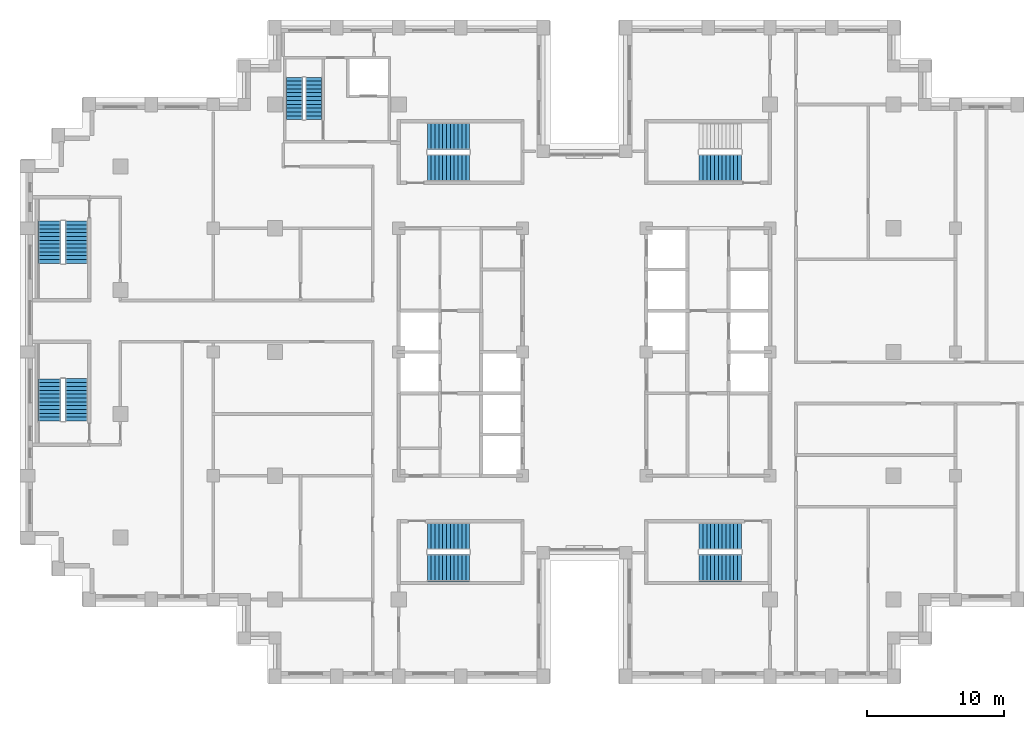
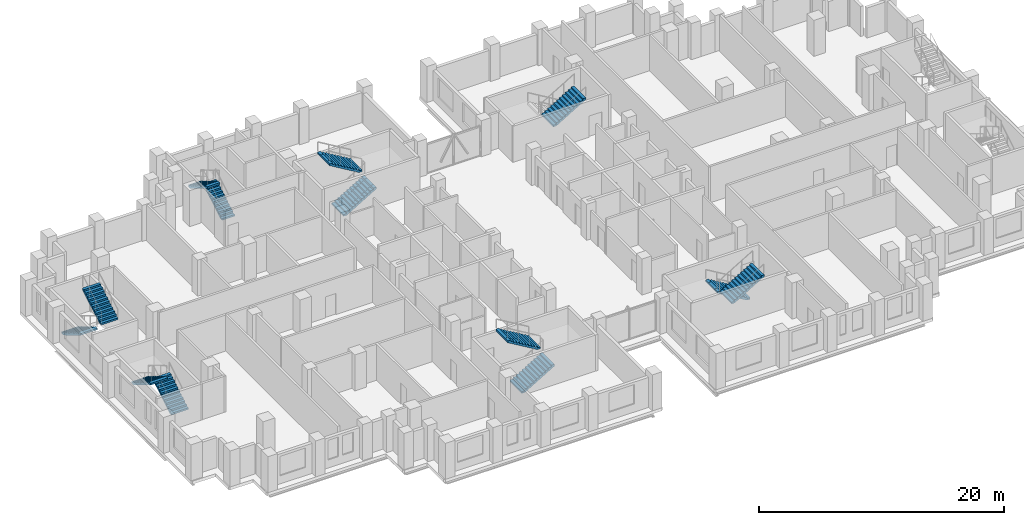
# One storey, part 13 of 16: 13 stair flights, 7 elements without a shape of their own.
"""IFC4 building model written with IfcOpenShell, lengths in metres."""

from ifc_helpers import new_model, si_unit, direction, frame, origin, place, context, subcontext, project, spatial, polyline, outline, extrude, material, type_object, element, aggregate, save


model = new_model("IFC4")

# Units and contexts
model_context = context("Model", 3, precision=1e-05, world=origin(), true_north=direction((0.0, 1.0)))
body_context = subcontext(model_context, "Body", "Model", "MODEL_VIEW")
ifc_project = project(units=[si_unit("LENGTHUNIT", "METRE"), si_unit("AREAUNIT", "SQUARE_METRE"), si_unit("VOLUMEUNIT", "CUBIC_METRE"), si_unit("PLANEANGLEUNIT", "RADIAN"), si_unit("MASSUNIT", "GRAM", prefix="KILO")], contexts=[model_context])

# Site, building, storey
site_placement = place(None, origin())
site = spatial("IfcSite", under=ifc_project, at=site_placement, CompositionType="ELEMENT")
building_placement = place(site_placement, origin())
building = spatial("IfcBuilding", under=site, at=building_placement, Name="Corbelhall Arena Tower", CompositionType="ELEMENT")
storey_placement = place(building_placement, frame((0.0, 0.0, 174.0)))
storey = spatial("IfcBuildingStorey", under=building, at=storey_placement, Name="L35", CompositionType="ELEMENT", Elevation=174.0)

# Stair, stair flights
ifc_material = material(Name="Concrete C40/50", Category="concrete")
stair_type = type_object("IfcStairType", Name="IN-ST-TOWER", PredefinedType="HALF_TURN_STAIR", material=ifc_material)
stair_1_placement = place(storey_placement, origin())
stair_1 = element("IfcStair", 1, at=stair_1_placement, inside=storey, type_object=stair_type, Name="L35 Exit stair ST1", PredefinedType="HALF_TURN_STAIR")
stair_flight_type = type_object("IfcStairFlightType", Name="IN-SFL-RC", PredefinedType="STRAIGHT", material=ifc_material)
stair_flight_1_placement = place(storey_placement, frame((-11.425048828125, 13.39990234375, 0.0), z_axis=(0.0, 0.0, 1.0), x_axis=(1.0, 0.0, 0.0)))
stair_flight_1 = element("IfcStairFlight", 2, at=stair_flight_1_placement, type_object=stair_flight_type, Name="ST1 flight 1", NumberOfRisers=12, NumberOfTreads=11, PredefinedType="STRAIGHT", RiserHeight=0.166666667, TreadLength=0.28, context=body_context, shape_type="SweptSolid", body=[
    extrude(outline(polyline([(0.0, 0.0), (0.0, 0.166748046875), (0.280029296875, 0.166748046875), (0.280029296875, 0.333251953125), (0.56005859375, 0.333251953125), (0.56005859375, 0.5), (0.840087890625, 0.5), (0.840087890625, 0.666748046875), (1.1201171875, 0.666748046875), (1.1201171875, 0.833251953125), (1.39990234375, 0.833251953125), (1.39990234375, 1.0), (1.679931640625, 1.0), (1.679931640625, 1.166748046875), (1.9599609375, 1.166748046875), (1.9599609375, 1.333251953125), (2.239990234375, 1.333251953125), (2.239990234375, 1.5), (2.52001953125, 1.5), (2.52001953125, 1.666748046875), (2.800048828125, 1.666748046875), (2.800048828125, 1.833251953125), (3.080078125, 1.833251953125), (3.080078125, 2.0), (3.080078125, 1.658935546875), (0.29296875, 0.0), (0.0, 0.0)])), frame((0.0, 0.97509765625, 0.0), z_axis=(0.0, -1.0, 0.0), x_axis=(1.0, 0.0, 0.0)), (0.0, 0.0, 1.0), 0.449951171875),
    extrude(outline(polyline([(0.0, 0.0), (0.0, 0.166748046875), (0.280029296875, 0.166748046875), (0.280029296875, 0.333251953125), (0.56005859375, 0.333251953125), (0.56005859375, 0.5), (0.840087890625, 0.5), (0.840087890625, 0.666748046875), (1.1201171875, 0.666748046875), (1.1201171875, 0.833251953125), (1.39990234375, 0.833251953125), (1.39990234375, 1.0), (1.679931640625, 1.0), (1.679931640625, 1.166748046875), (1.9599609375, 1.166748046875), (1.9599609375, 1.333251953125), (2.239990234375, 1.333251953125), (2.239990234375, 1.5), (2.52001953125, 1.5), (2.52001953125, 1.666748046875), (2.800048828125, 1.666748046875), (2.800048828125, 1.833251953125), (3.080078125, 1.833251953125), (3.080078125, 2.0), (3.080078125, 1.658935546875), (0.29296875, 0.0), (0.0, 0.0)])), frame((0.0, 0.52099609375, 0.0), z_axis=(0.0, -1.0, 0.0), x_axis=(1.0, 0.0, 0.0)), (0.0, 0.0, 1.0), 1.0419921875),
    extrude(outline(polyline([(0.0, 0.0), (0.0, 0.166748046875), (0.280029296875, 0.166748046875), (0.280029296875, 0.333251953125), (0.56005859375, 0.333251953125), (0.56005859375, 0.5), (0.840087890625, 0.5), (0.840087890625, 0.666748046875), (1.1201171875, 0.666748046875), (1.1201171875, 0.833251953125), (1.39990234375, 0.833251953125), (1.39990234375, 1.0), (1.679931640625, 1.0), (1.679931640625, 1.166748046875), (1.9599609375, 1.166748046875), (1.9599609375, 1.333251953125), (2.239990234375, 1.333251953125), (2.239990234375, 1.5), (2.52001953125, 1.5), (2.52001953125, 1.666748046875), (2.800048828125, 1.666748046875), (2.800048828125, 1.833251953125), (3.080078125, 1.833251953125), (3.080078125, 2.0), (3.080078125, 1.658935546875), (0.29296875, 0.0), (0.0, 0.0)])), frame((0.0, -0.52490234375, 0.0), z_axis=(0.0, -1.0, 0.0), x_axis=(1.0, 0.0, 0.0)), (0.0, 0.0, 1.0), 0.449951171875),
])
stair_flight_2_placement = place(storey_placement, frame((-8.344970703125, 15.699951171875, 2.0), z_axis=(0.0, 0.0, 1.0), x_axis=(-1.0, 0.0, 0.0)))
stair_flight_2 = element("IfcStairFlight", 3, at=stair_flight_2_placement, type_object=stair_flight_type, Name="ST1 flight 2", NumberOfRisers=12, NumberOfTreads=11, PredefinedType="STRAIGHT", RiserHeight=0.166666667, TreadLength=0.28, context=body_context, shape_type="SweptSolid", body=[
    extrude(outline(polyline([(0.0, 0.0), (0.0, 0.166748046875), (0.280029296875, 0.166748046875), (0.280029296875, 0.333251953125), (0.56005859375, 0.333251953125), (0.56005859375, 0.5), (0.840087890625, 0.5), (0.840087890625, 0.666748046875), (1.1201171875, 0.666748046875), (1.1201171875, 0.833251953125), (1.39990234375, 0.833251953125), (1.39990234375, 1.0), (1.679931640625, 1.0), (1.679931640625, 1.166748046875), (1.9599609375, 1.166748046875), (1.9599609375, 1.333251953125), (2.239990234375, 1.333251953125), (2.239990234375, 1.5), (2.52001953125, 1.5), (2.52001953125, 1.666748046875), (2.800048828125, 1.666748046875), (2.800048828125, 1.833251953125), (3.080078125, 1.833251953125), (3.080078125, 2.0), (3.080078125, 1.658935546875), (0.29296875, 0.0), (0.0, 0.0)])), frame((0.0, 0.97509765625, 0.0), z_axis=(0.0, -1.0, 0.0), x_axis=(1.0, 0.0, 0.0)), (0.0, 0.0, 1.0), 0.449951171875),
    extrude(outline(polyline([(0.0, 0.0), (0.0, 0.166748046875), (0.280029296875, 0.166748046875), (0.280029296875, 0.333251953125), (0.56005859375, 0.333251953125), (0.56005859375, 0.5), (0.840087890625, 0.5), (0.840087890625, 0.666748046875), (1.1201171875, 0.666748046875), (1.1201171875, 0.833251953125), (1.39990234375, 0.833251953125), (1.39990234375, 1.0), (1.679931640625, 1.0), (1.679931640625, 1.166748046875), (1.9599609375, 1.166748046875), (1.9599609375, 1.333251953125), (2.239990234375, 1.333251953125), (2.239990234375, 1.5), (2.52001953125, 1.5), (2.52001953125, 1.666748046875), (2.800048828125, 1.666748046875), (2.800048828125, 1.833251953125), (3.080078125, 1.833251953125), (3.080078125, 2.0), (3.080078125, 1.658935546875), (0.29296875, 0.0), (0.0, 0.0)])), frame((0.0, 0.52099609375, 0.0), z_axis=(0.0, -1.0, 0.0), x_axis=(1.0, 0.0, 0.0)), (0.0, 0.0, 1.0), 1.0419921875),
    extrude(outline(polyline([(0.0, 0.0), (0.0, 0.166748046875), (0.280029296875, 0.166748046875), (0.280029296875, 0.333251953125), (0.56005859375, 0.333251953125), (0.56005859375, 0.5), (0.840087890625, 0.5), (0.840087890625, 0.666748046875), (1.1201171875, 0.666748046875), (1.1201171875, 0.833251953125), (1.39990234375, 0.833251953125), (1.39990234375, 1.0), (1.679931640625, 1.0), (1.679931640625, 1.166748046875), (1.9599609375, 1.166748046875), (1.9599609375, 1.333251953125), (2.239990234375, 1.333251953125), (2.239990234375, 1.5), (2.52001953125, 1.5), (2.52001953125, 1.666748046875), (2.800048828125, 1.666748046875), (2.800048828125, 1.833251953125), (3.080078125, 1.833251953125), (3.080078125, 2.0), (3.080078125, 1.658935546875), (0.29296875, 0.0), (0.0, 0.0)])), frame((0.0, -0.52490234375, 0.0), z_axis=(0.0, -1.0, 0.0), x_axis=(1.0, 0.0, 0.0)), (0.0, 0.0, 1.0), 0.449951171875),
])
aggregate(stair_1, [stair_flight_1, stair_flight_2])

stair_2_placement = place(storey_placement, origin())
stair_2 = element("IfcStair", 4, at=stair_2_placement, inside=storey, type_object=stair_type, Name="L35 Exit stair ST2", PredefinedType="HALF_TURN_STAIR")
stair_flight_3_placement = place(storey_placement, frame((-11.425048828125, -15.699951171875, 0.0), z_axis=(0.0, 0.0, 1.0), x_axis=(1.0, 0.0, 0.0)))
stair_flight_3 = element("IfcStairFlight", 5, at=stair_flight_3_placement, type_object=stair_flight_type, Name="ST2 flight 1", NumberOfRisers=12, NumberOfTreads=11, PredefinedType="STRAIGHT", RiserHeight=0.166666667, TreadLength=0.28, context=body_context, shape_type="SweptSolid", body=[
    extrude(outline(polyline([(0.0, 0.0), (0.0, 0.166748046875), (0.280029296875, 0.166748046875), (0.280029296875, 0.333251953125), (0.56005859375, 0.333251953125), (0.56005859375, 0.5), (0.840087890625, 0.5), (0.840087890625, 0.666748046875), (1.1201171875, 0.666748046875), (1.1201171875, 0.833251953125), (1.39990234375, 0.833251953125), (1.39990234375, 1.0), (1.679931640625, 1.0), (1.679931640625, 1.166748046875), (1.9599609375, 1.166748046875), (1.9599609375, 1.333251953125), (2.239990234375, 1.333251953125), (2.239990234375, 1.5), (2.52001953125, 1.5), (2.52001953125, 1.666748046875), (2.800048828125, 1.666748046875), (2.800048828125, 1.833251953125), (3.080078125, 1.833251953125), (3.080078125, 2.0), (3.080078125, 1.658935546875), (0.29296875, 0.0), (0.0, 0.0)])), frame((0.0, 0.97509765625, 0.0), z_axis=(0.0, -1.0, 0.0), x_axis=(1.0, 0.0, 0.0)), (0.0, 0.0, 1.0), 0.449951171875),
    extrude(outline(polyline([(0.0, 0.0), (0.0, 0.166748046875), (0.280029296875, 0.166748046875), (0.280029296875, 0.333251953125), (0.56005859375, 0.333251953125), (0.56005859375, 0.5), (0.840087890625, 0.5), (0.840087890625, 0.666748046875), (1.1201171875, 0.666748046875), (1.1201171875, 0.833251953125), (1.39990234375, 0.833251953125), (1.39990234375, 1.0), (1.679931640625, 1.0), (1.679931640625, 1.166748046875), (1.9599609375, 1.166748046875), (1.9599609375, 1.333251953125), (2.239990234375, 1.333251953125), (2.239990234375, 1.5), (2.52001953125, 1.5), (2.52001953125, 1.666748046875), (2.800048828125, 1.666748046875), (2.800048828125, 1.833251953125), (3.080078125, 1.833251953125), (3.080078125, 2.0), (3.080078125, 1.658935546875), (0.29296875, 0.0), (0.0, 0.0)])), frame((0.0, 0.52099609375, 0.0), z_axis=(0.0, -1.0, 0.0), x_axis=(1.0, 0.0, 0.0)), (0.0, 0.0, 1.0), 1.0419921875),
    extrude(outline(polyline([(0.0, 0.0), (0.0, 0.166748046875), (0.280029296875, 0.166748046875), (0.280029296875, 0.333251953125), (0.56005859375, 0.333251953125), (0.56005859375, 0.5), (0.840087890625, 0.5), (0.840087890625, 0.666748046875), (1.1201171875, 0.666748046875), (1.1201171875, 0.833251953125), (1.39990234375, 0.833251953125), (1.39990234375, 1.0), (1.679931640625, 1.0), (1.679931640625, 1.166748046875), (1.9599609375, 1.166748046875), (1.9599609375, 1.333251953125), (2.239990234375, 1.333251953125), (2.239990234375, 1.5), (2.52001953125, 1.5), (2.52001953125, 1.666748046875), (2.800048828125, 1.666748046875), (2.800048828125, 1.833251953125), (3.080078125, 1.833251953125), (3.080078125, 2.0), (3.080078125, 1.658935546875), (0.29296875, 0.0), (0.0, 0.0)])), frame((0.0, -0.52490234375, 0.0), z_axis=(0.0, -1.0, 0.0), x_axis=(1.0, 0.0, 0.0)), (0.0, 0.0, 1.0), 0.449951171875),
])
stair_flight_4_placement = place(storey_placement, frame((-8.344970703125, -13.39990234375, 2.0), z_axis=(0.0, 0.0, 1.0), x_axis=(-1.0, 0.0, 0.0)))
stair_flight_4 = element("IfcStairFlight", 6, at=stair_flight_4_placement, type_object=stair_flight_type, Name="ST2 flight 2", NumberOfRisers=12, NumberOfTreads=11, PredefinedType="STRAIGHT", RiserHeight=0.166666667, TreadLength=0.28, context=body_context, shape_type="SweptSolid", body=[
    extrude(outline(polyline([(0.0, 0.0), (0.0, 0.166748046875), (0.280029296875, 0.166748046875), (0.280029296875, 0.333251953125), (0.56005859375, 0.333251953125), (0.56005859375, 0.5), (0.840087890625, 0.5), (0.840087890625, 0.666748046875), (1.1201171875, 0.666748046875), (1.1201171875, 0.833251953125), (1.39990234375, 0.833251953125), (1.39990234375, 1.0), (1.679931640625, 1.0), (1.679931640625, 1.166748046875), (1.9599609375, 1.166748046875), (1.9599609375, 1.333251953125), (2.239990234375, 1.333251953125), (2.239990234375, 1.5), (2.52001953125, 1.5), (2.52001953125, 1.666748046875), (2.800048828125, 1.666748046875), (2.800048828125, 1.833251953125), (3.080078125, 1.833251953125), (3.080078125, 2.0), (3.080078125, 1.658935546875), (0.29296875, 0.0), (0.0, 0.0)])), frame((0.0, 0.97509765625, 0.0), z_axis=(0.0, -1.0, 0.0), x_axis=(1.0, 0.0, 0.0)), (0.0, 0.0, 1.0), 0.449951171875),
    extrude(outline(polyline([(0.0, 0.0), (0.0, 0.166748046875), (0.280029296875, 0.166748046875), (0.280029296875, 0.333251953125), (0.56005859375, 0.333251953125), (0.56005859375, 0.5), (0.840087890625, 0.5), (0.840087890625, 0.666748046875), (1.1201171875, 0.666748046875), (1.1201171875, 0.833251953125), (1.39990234375, 0.833251953125), (1.39990234375, 1.0), (1.679931640625, 1.0), (1.679931640625, 1.166748046875), (1.9599609375, 1.166748046875), (1.9599609375, 1.333251953125), (2.239990234375, 1.333251953125), (2.239990234375, 1.5), (2.52001953125, 1.5), (2.52001953125, 1.666748046875), (2.800048828125, 1.666748046875), (2.800048828125, 1.833251953125), (3.080078125, 1.833251953125), (3.080078125, 2.0), (3.080078125, 1.658935546875), (0.29296875, 0.0), (0.0, 0.0)])), frame((0.0, 0.52099609375, 0.0), z_axis=(0.0, -1.0, 0.0), x_axis=(1.0, 0.0, 0.0)), (0.0, 0.0, 1.0), 1.0419921875),
    extrude(outline(polyline([(0.0, 0.0), (0.0, 0.166748046875), (0.280029296875, 0.166748046875), (0.280029296875, 0.333251953125), (0.56005859375, 0.333251953125), (0.56005859375, 0.5), (0.840087890625, 0.5), (0.840087890625, 0.666748046875), (1.1201171875, 0.666748046875), (1.1201171875, 0.833251953125), (1.39990234375, 0.833251953125), (1.39990234375, 1.0), (1.679931640625, 1.0), (1.679931640625, 1.166748046875), (1.9599609375, 1.166748046875), (1.9599609375, 1.333251953125), (2.239990234375, 1.333251953125), (2.239990234375, 1.5), (2.52001953125, 1.5), (2.52001953125, 1.666748046875), (2.800048828125, 1.666748046875), (2.800048828125, 1.833251953125), (3.080078125, 1.833251953125), (3.080078125, 2.0), (3.080078125, 1.658935546875), (0.29296875, 0.0), (0.0, 0.0)])), frame((0.0, -0.52490234375, 0.0), z_axis=(0.0, -1.0, 0.0), x_axis=(1.0, 0.0, 0.0)), (0.0, 0.0, 1.0), 0.449951171875),
])
aggregate(stair_2, [stair_flight_3, stair_flight_4])

# Stair, stair flight
stair_3_placement = place(storey_placement, origin())
stair_3 = element("IfcStair", 7, at=stair_3_placement, inside=storey, type_object=stair_type, Name="L35 Exit stair ST3", PredefinedType="HALF_TURN_STAIR")
stair_flight_5_placement = place(storey_placement, frame((8.344970703125, 13.39990234375, 2.0), z_axis=(0.0, 0.0, 1.0), x_axis=(1.0, 0.0, 0.0)))
stair_flight_5 = element("IfcStairFlight", 8, at=stair_flight_5_placement, type_object=stair_flight_type, Name="ST3 flight 2", NumberOfRisers=12, NumberOfTreads=11, PredefinedType="STRAIGHT", RiserHeight=0.166666667, TreadLength=0.28, context=body_context, shape_type="SweptSolid", body=[
    extrude(outline(polyline([(0.0, 0.0), (0.0, 0.166748046875), (0.280029296875, 0.166748046875), (0.280029296875, 0.333251953125), (0.56005859375, 0.333251953125), (0.56005859375, 0.5), (0.840087890625, 0.5), (0.840087890625, 0.666748046875), (1.1201171875, 0.666748046875), (1.1201171875, 0.833251953125), (1.39990234375, 0.833251953125), (1.39990234375, 1.0), (1.679931640625, 1.0), (1.679931640625, 1.166748046875), (1.9599609375, 1.166748046875), (1.9599609375, 1.333251953125), (2.239990234375, 1.333251953125), (2.239990234375, 1.5), (2.52001953125, 1.5), (2.52001953125, 1.666748046875), (2.800048828125, 1.666748046875), (2.800048828125, 1.833251953125), (3.080078125, 1.833251953125), (3.080078125, 2.0), (3.080078125, 1.658935546875), (0.29296875, 0.0), (0.0, 0.0)])), frame((0.0, 0.97509765625, 0.0), z_axis=(0.0, -1.0, 0.0), x_axis=(1.0, 0.0, 0.0)), (0.0, 0.0, 1.0), 0.449951171875),
    extrude(outline(polyline([(0.0, 0.0), (0.0, 0.166748046875), (0.280029296875, 0.166748046875), (0.280029296875, 0.333251953125), (0.56005859375, 0.333251953125), (0.56005859375, 0.5), (0.840087890625, 0.5), (0.840087890625, 0.666748046875), (1.1201171875, 0.666748046875), (1.1201171875, 0.833251953125), (1.39990234375, 0.833251953125), (1.39990234375, 1.0), (1.679931640625, 1.0), (1.679931640625, 1.166748046875), (1.9599609375, 1.166748046875), (1.9599609375, 1.333251953125), (2.239990234375, 1.333251953125), (2.239990234375, 1.5), (2.52001953125, 1.5), (2.52001953125, 1.666748046875), (2.800048828125, 1.666748046875), (2.800048828125, 1.833251953125), (3.080078125, 1.833251953125), (3.080078125, 2.0), (3.080078125, 1.658935546875), (0.29296875, 0.0), (0.0, 0.0)])), frame((0.0, 0.52099609375, 0.0), z_axis=(0.0, -1.0, 0.0), x_axis=(1.0, 0.0, 0.0)), (0.0, 0.0, 1.0), 1.0419921875),
    extrude(outline(polyline([(0.0, 0.0), (0.0, 0.166748046875), (0.280029296875, 0.166748046875), (0.280029296875, 0.333251953125), (0.56005859375, 0.333251953125), (0.56005859375, 0.5), (0.840087890625, 0.5), (0.840087890625, 0.666748046875), (1.1201171875, 0.666748046875), (1.1201171875, 0.833251953125), (1.39990234375, 0.833251953125), (1.39990234375, 1.0), (1.679931640625, 1.0), (1.679931640625, 1.166748046875), (1.9599609375, 1.166748046875), (1.9599609375, 1.333251953125), (2.239990234375, 1.333251953125), (2.239990234375, 1.5), (2.52001953125, 1.5), (2.52001953125, 1.666748046875), (2.800048828125, 1.666748046875), (2.800048828125, 1.833251953125), (3.080078125, 1.833251953125), (3.080078125, 2.0), (3.080078125, 1.658935546875), (0.29296875, 0.0), (0.0, 0.0)])), frame((0.0, -0.52490234375, 0.0), z_axis=(0.0, -1.0, 0.0), x_axis=(1.0, 0.0, 0.0)), (0.0, 0.0, 1.0), 0.449951171875),
])
aggregate(stair_3, [stair_flight_5])

# Stair, stair flights
stair_4_placement = place(storey_placement, origin())
stair_4 = element("IfcStair", 9, at=stair_4_placement, inside=storey, type_object=stair_type, Name="L35 Exit stair ST4", PredefinedType="HALF_TURN_STAIR")
stair_flight_6_placement = place(storey_placement, frame((11.425048828125, -13.39990234375, 0.0), z_axis=(0.0, 0.0, 1.0), x_axis=(-1.0, 0.0, 0.0)))
stair_flight_6 = element("IfcStairFlight", 10, at=stair_flight_6_placement, type_object=stair_flight_type, Name="ST4 flight 1", NumberOfRisers=12, NumberOfTreads=11, PredefinedType="STRAIGHT", RiserHeight=0.166666667, TreadLength=0.28, context=body_context, shape_type="SweptSolid", body=[
    extrude(outline(polyline([(0.0, 0.0), (0.0, 0.166748046875), (0.280029296875, 0.166748046875), (0.280029296875, 0.333251953125), (0.56005859375, 0.333251953125), (0.56005859375, 0.5), (0.840087890625, 0.5), (0.840087890625, 0.666748046875), (1.1201171875, 0.666748046875), (1.1201171875, 0.833251953125), (1.39990234375, 0.833251953125), (1.39990234375, 1.0), (1.679931640625, 1.0), (1.679931640625, 1.166748046875), (1.9599609375, 1.166748046875), (1.9599609375, 1.333251953125), (2.239990234375, 1.333251953125), (2.239990234375, 1.5), (2.52001953125, 1.5), (2.52001953125, 1.666748046875), (2.800048828125, 1.666748046875), (2.800048828125, 1.833251953125), (3.080078125, 1.833251953125), (3.080078125, 2.0), (3.080078125, 1.658935546875), (0.29296875, 0.0), (0.0, 0.0)])), frame((0.0, 0.97509765625, 0.0), z_axis=(0.0, -1.0, 0.0), x_axis=(1.0, 0.0, 0.0)), (0.0, 0.0, 1.0), 0.449951171875),
    extrude(outline(polyline([(0.0, 0.0), (0.0, 0.166748046875), (0.280029296875, 0.166748046875), (0.280029296875, 0.333251953125), (0.56005859375, 0.333251953125), (0.56005859375, 0.5), (0.840087890625, 0.5), (0.840087890625, 0.666748046875), (1.1201171875, 0.666748046875), (1.1201171875, 0.833251953125), (1.39990234375, 0.833251953125), (1.39990234375, 1.0), (1.679931640625, 1.0), (1.679931640625, 1.166748046875), (1.9599609375, 1.166748046875), (1.9599609375, 1.333251953125), (2.239990234375, 1.333251953125), (2.239990234375, 1.5), (2.52001953125, 1.5), (2.52001953125, 1.666748046875), (2.800048828125, 1.666748046875), (2.800048828125, 1.833251953125), (3.080078125, 1.833251953125), (3.080078125, 2.0), (3.080078125, 1.658935546875), (0.29296875, 0.0), (0.0, 0.0)])), frame((0.0, 0.52099609375, 0.0), z_axis=(0.0, -1.0, 0.0), x_axis=(1.0, 0.0, 0.0)), (0.0, 0.0, 1.0), 1.0419921875),
    extrude(outline(polyline([(0.0, 0.0), (0.0, 0.166748046875), (0.280029296875, 0.166748046875), (0.280029296875, 0.333251953125), (0.56005859375, 0.333251953125), (0.56005859375, 0.5), (0.840087890625, 0.5), (0.840087890625, 0.666748046875), (1.1201171875, 0.666748046875), (1.1201171875, 0.833251953125), (1.39990234375, 0.833251953125), (1.39990234375, 1.0), (1.679931640625, 1.0), (1.679931640625, 1.166748046875), (1.9599609375, 1.166748046875), (1.9599609375, 1.333251953125), (2.239990234375, 1.333251953125), (2.239990234375, 1.5), (2.52001953125, 1.5), (2.52001953125, 1.666748046875), (2.800048828125, 1.666748046875), (2.800048828125, 1.833251953125), (3.080078125, 1.833251953125), (3.080078125, 2.0), (3.080078125, 1.658935546875), (0.29296875, 0.0), (0.0, 0.0)])), frame((0.0, -0.52490234375, 0.0), z_axis=(0.0, -1.0, 0.0), x_axis=(1.0, 0.0, 0.0)), (0.0, 0.0, 1.0), 0.449951171875),
])
stair_flight_7_placement = place(storey_placement, frame((8.344970703125, -15.699951171875, 2.0), z_axis=(0.0, 0.0, 1.0), x_axis=(1.0, 0.0, 0.0)))
stair_flight_7 = element("IfcStairFlight", 11, at=stair_flight_7_placement, type_object=stair_flight_type, Name="ST4 flight 2", NumberOfRisers=12, NumberOfTreads=11, PredefinedType="STRAIGHT", RiserHeight=0.166666667, TreadLength=0.28, context=body_context, shape_type="SweptSolid", body=[
    extrude(outline(polyline([(0.0, 0.0), (0.0, 0.166748046875), (0.280029296875, 0.166748046875), (0.280029296875, 0.333251953125), (0.56005859375, 0.333251953125), (0.56005859375, 0.5), (0.840087890625, 0.5), (0.840087890625, 0.666748046875), (1.1201171875, 0.666748046875), (1.1201171875, 0.833251953125), (1.39990234375, 0.833251953125), (1.39990234375, 1.0), (1.679931640625, 1.0), (1.679931640625, 1.166748046875), (1.9599609375, 1.166748046875), (1.9599609375, 1.333251953125), (2.239990234375, 1.333251953125), (2.239990234375, 1.5), (2.52001953125, 1.5), (2.52001953125, 1.666748046875), (2.800048828125, 1.666748046875), (2.800048828125, 1.833251953125), (3.080078125, 1.833251953125), (3.080078125, 2.0), (3.080078125, 1.658935546875), (0.29296875, 0.0), (0.0, 0.0)])), frame((0.0, 0.97509765625, 0.0), z_axis=(0.0, -1.0, 0.0), x_axis=(1.0, 0.0, 0.0)), (0.0, 0.0, 1.0), 0.449951171875),
    extrude(outline(polyline([(0.0, 0.0), (0.0, 0.166748046875), (0.280029296875, 0.166748046875), (0.280029296875, 0.333251953125), (0.56005859375, 0.333251953125), (0.56005859375, 0.5), (0.840087890625, 0.5), (0.840087890625, 0.666748046875), (1.1201171875, 0.666748046875), (1.1201171875, 0.833251953125), (1.39990234375, 0.833251953125), (1.39990234375, 1.0), (1.679931640625, 1.0), (1.679931640625, 1.166748046875), (1.9599609375, 1.166748046875), (1.9599609375, 1.333251953125), (2.239990234375, 1.333251953125), (2.239990234375, 1.5), (2.52001953125, 1.5), (2.52001953125, 1.666748046875), (2.800048828125, 1.666748046875), (2.800048828125, 1.833251953125), (3.080078125, 1.833251953125), (3.080078125, 2.0), (3.080078125, 1.658935546875), (0.29296875, 0.0), (0.0, 0.0)])), frame((0.0, 0.52099609375, 0.0), z_axis=(0.0, -1.0, 0.0), x_axis=(1.0, 0.0, 0.0)), (0.0, 0.0, 1.0), 1.0419921875),
    extrude(outline(polyline([(0.0, 0.0), (0.0, 0.166748046875), (0.280029296875, 0.166748046875), (0.280029296875, 0.333251953125), (0.56005859375, 0.333251953125), (0.56005859375, 0.5), (0.840087890625, 0.5), (0.840087890625, 0.666748046875), (1.1201171875, 0.666748046875), (1.1201171875, 0.833251953125), (1.39990234375, 0.833251953125), (1.39990234375, 1.0), (1.679931640625, 1.0), (1.679931640625, 1.166748046875), (1.9599609375, 1.166748046875), (1.9599609375, 1.333251953125), (2.239990234375, 1.333251953125), (2.239990234375, 1.5), (2.52001953125, 1.5), (2.52001953125, 1.666748046875), (2.800048828125, 1.666748046875), (2.800048828125, 1.833251953125), (3.080078125, 1.833251953125), (3.080078125, 2.0), (3.080078125, 1.658935546875), (0.29296875, 0.0), (0.0, 0.0)])), frame((0.0, -0.52490234375, 0.0), z_axis=(0.0, -1.0, 0.0), x_axis=(1.0, 0.0, 0.0)), (0.0, 0.0, 1.0), 0.449951171875),
])
aggregate(stair_4, [stair_flight_6, stair_flight_7])

stair_5_placement = place(storey_placement, origin())
stair_5 = element("IfcStair", 12, at=stair_5_placement, inside=storey, type_object=stair_type, Name="L35 Exit stair SC1", PredefinedType="HALF_TURN_STAIR")
stair_flight_8_placement = place(storey_placement, frame((-38.89990234375, 9.52490234375, 0.0), z_axis=(0.0, 0.0, 1.0), x_axis=(0.0, -1.0, 0.0)))
stair_flight_8 = element("IfcStairFlight", 13, at=stair_flight_8_placement, type_object=stair_flight_type, Name="SC1 flight 1", NumberOfRisers=12, NumberOfTreads=11, PredefinedType="STRAIGHT", RiserHeight=0.166666667, TreadLength=0.28, context=body_context, shape_type="SweptSolid", body=[
    extrude(outline(polyline([(0.0, 0.0), (0.0, 0.166748046875), (0.280029296875, 0.166748046875), (0.280029296875, 0.333251953125), (0.56005859375, 0.333251953125), (0.56005859375, 0.5), (0.840087890625, 0.5), (0.840087890625, 0.666748046875), (1.1201171875, 0.666748046875), (1.1201171875, 0.833251953125), (1.39990234375, 0.833251953125), (1.39990234375, 1.0), (1.679931640625, 1.0), (1.679931640625, 1.166748046875), (1.9599609375, 1.166748046875), (1.9599609375, 1.333251953125), (2.239990234375, 1.333251953125), (2.239990234375, 1.5), (2.52001953125, 1.5), (2.52001953125, 1.666748046875), (2.800048828125, 1.666748046875), (2.800048828125, 1.833251953125), (3.080078125, 1.833251953125), (3.080078125, 2.0), (3.080078125, 1.658935546875), (0.29296875, 0.0), (0.0, 0.0)])), frame((0.0, 0.800048828125, 0.0), z_axis=(0.0, -1.0, 0.0), x_axis=(1.0, 0.0, 0.0)), (0.0, 0.0, 1.0), 1.60009765625),
])
stair_flight_9_placement = place(storey_placement, frame((-36.925048828125, 6.445068359375, 2.0), z_axis=(0.0, 0.0, 1.0), x_axis=(0.0, 1.0, 0.0)))
stair_flight_9 = element("IfcStairFlight", 14, at=stair_flight_9_placement, type_object=stair_flight_type, Name="SC1 flight 2", NumberOfRisers=12, NumberOfTreads=11, PredefinedType="STRAIGHT", RiserHeight=0.166666667, TreadLength=0.28, context=body_context, shape_type="SweptSolid", body=[
    extrude(outline(polyline([(0.0, 0.0), (0.0, 0.166748046875), (0.280029296875, 0.166748046875), (0.280029296875, 0.333251953125), (0.56005859375, 0.333251953125), (0.56005859375, 0.5), (0.840087890625, 0.5), (0.840087890625, 0.666748046875), (1.1201171875, 0.666748046875), (1.1201171875, 0.833251953125), (1.39990234375, 0.833251953125), (1.39990234375, 1.0), (1.679931640625, 1.0), (1.679931640625, 1.166748046875), (1.9599609375, 1.166748046875), (1.9599609375, 1.333251953125), (2.239990234375, 1.333251953125), (2.239990234375, 1.5), (2.52001953125, 1.5), (2.52001953125, 1.666748046875), (2.800048828125, 1.666748046875), (2.800048828125, 1.833251953125), (3.080078125, 1.833251953125), (3.080078125, 2.0), (3.080078125, 1.658935546875), (0.29296875, 0.0), (0.0, 0.0)])), frame((0.0, 0.800048828125, 0.0), z_axis=(0.0, -1.0, 0.0), x_axis=(1.0, 0.0, 0.0)), (0.0, 0.0, 1.0), 1.60009765625),
])
aggregate(stair_5, [stair_flight_8, stair_flight_9])

stair_6_placement = place(storey_placement, origin())
stair_6 = element("IfcStair", 15, at=stair_6_placement, inside=storey, type_object=stair_type, Name="L35 Exit stair SC2", PredefinedType="HALF_TURN_STAIR")
stair_flight_10_placement = place(storey_placement, frame((-36.925048828125, -5.02490234375, 0.0), z_axis=(0.0, 0.0, 1.0), x_axis=(0.0, 1.0, 0.0)))
stair_flight_10 = element("IfcStairFlight", 16, at=stair_flight_10_placement, type_object=stair_flight_type, Name="SC2 flight 1", NumberOfRisers=12, NumberOfTreads=11, PredefinedType="STRAIGHT", RiserHeight=0.166666667, TreadLength=0.28, context=body_context, shape_type="SweptSolid", body=[
    extrude(outline(polyline([(0.0, 0.0), (0.0, 0.166748046875), (0.280029296875, 0.166748046875), (0.280029296875, 0.333251953125), (0.56005859375, 0.333251953125), (0.56005859375, 0.5), (0.840087890625, 0.5), (0.840087890625, 0.666748046875), (1.1201171875, 0.666748046875), (1.1201171875, 0.833251953125), (1.39990234375, 0.833251953125), (1.39990234375, 1.0), (1.679931640625, 1.0), (1.679931640625, 1.166748046875), (1.9599609375, 1.166748046875), (1.9599609375, 1.333251953125), (2.239990234375, 1.333251953125), (2.239990234375, 1.5), (2.52001953125, 1.5), (2.52001953125, 1.666748046875), (2.800048828125, 1.666748046875), (2.800048828125, 1.833251953125), (3.080078125, 1.833251953125), (3.080078125, 2.0), (3.080078125, 1.658935546875), (0.29296875, 0.0), (0.0, 0.0)])), frame((0.0, 0.800048828125, 0.0), z_axis=(0.0, -1.0, 0.0), x_axis=(1.0, 0.0, 0.0)), (0.0, 0.0, 1.0), 1.60009765625),
])
stair_flight_11_placement = place(storey_placement, frame((-38.89990234375, -1.945068359375, 2.0), z_axis=(0.0, 0.0, 1.0), x_axis=(0.0, -1.0, 0.0)))
stair_flight_11 = element("IfcStairFlight", 17, at=stair_flight_11_placement, type_object=stair_flight_type, Name="SC2 flight 2", NumberOfRisers=12, NumberOfTreads=11, PredefinedType="STRAIGHT", RiserHeight=0.166666667, TreadLength=0.28, context=body_context, shape_type="SweptSolid", body=[
    extrude(outline(polyline([(0.0, 0.0), (0.0, 0.166748046875), (0.280029296875, 0.166748046875), (0.280029296875, 0.333251953125), (0.56005859375, 0.333251953125), (0.56005859375, 0.5), (0.840087890625, 0.5), (0.840087890625, 0.666748046875), (1.1201171875, 0.666748046875), (1.1201171875, 0.833251953125), (1.39990234375, 0.833251953125), (1.39990234375, 1.0), (1.679931640625, 1.0), (1.679931640625, 1.166748046875), (1.9599609375, 1.166748046875), (1.9599609375, 1.333251953125), (2.239990234375, 1.333251953125), (2.239990234375, 1.5), (2.52001953125, 1.5), (2.52001953125, 1.666748046875), (2.800048828125, 1.666748046875), (2.800048828125, 1.833251953125), (3.080078125, 1.833251953125), (3.080078125, 2.0), (3.080078125, 1.658935546875), (0.29296875, 0.0), (0.0, 0.0)])), frame((0.0, 0.800048828125, 0.0), z_axis=(0.0, -1.0, 0.0), x_axis=(1.0, 0.0, 0.0)), (0.0, 0.0, 1.0), 1.60009765625),
])
aggregate(stair_6, [stair_flight_10, stair_flight_11])

stair_7_placement = place(storey_placement, origin())
stair_7 = element("IfcStair", 18, at=stair_7_placement, inside=storey, type_object=stair_type, Name="L35 Exit stair ST5", PredefinedType="HALF_TURN_STAIR")
stair_flight_12_placement = place(storey_placement, frame((-19.695068359375, 16.89990234375, 0.0), z_axis=(0.0, 0.0, 1.0), x_axis=(0.0, 1.0, 0.0)))
stair_flight_12 = element("IfcStairFlight", 19, at=stair_flight_12_placement, type_object=stair_flight_type, Name="ST5 flight 1", NumberOfRisers=12, NumberOfTreads=11, PredefinedType="STRAIGHT", RiserHeight=0.166666667, TreadLength=0.28, context=body_context, shape_type="SweptSolid", body=[
    extrude(outline(polyline([(0.0, 0.0), (0.0, 0.166748046875), (0.280029296875, 0.166748046875), (0.280029296875, 0.333251953125), (0.56005859375, 0.333251953125), (0.56005859375, 0.5), (0.840087890625, 0.5), (0.840087890625, 0.666748046875), (1.1201171875, 0.666748046875), (1.1201171875, 0.833251953125), (1.39990234375, 0.833251953125), (1.39990234375, 1.0), (1.679931640625, 1.0), (1.679931640625, 1.166748046875), (1.9599609375, 1.166748046875), (1.9599609375, 1.333251953125), (2.239990234375, 1.333251953125), (2.239990234375, 1.5), (2.52001953125, 1.5), (2.52001953125, 1.666748046875), (2.800048828125, 1.666748046875), (2.800048828125, 1.833251953125), (3.080078125, 1.833251953125), (3.080078125, 2.0), (3.080078125, 1.658935546875), (0.29296875, 0.0), (0.0, 0.0)])), frame((0.0, 0.60009765625, 0.0), z_axis=(0.0, -1.0, 0.0), x_axis=(1.0, 0.0, 0.0)), (0.0, 0.0, 1.0), 1.199951171875),
])
stair_flight_13_placement = place(storey_placement, frame((-21.094970703125, 19.97998046875, 2.0), z_axis=(0.0, 0.0, 1.0), x_axis=(0.0, -1.0, 0.0)))
stair_flight_13 = element("IfcStairFlight", 20, at=stair_flight_13_placement, type_object=stair_flight_type, Name="ST5 flight 2", NumberOfRisers=12, NumberOfTreads=11, PredefinedType="STRAIGHT", RiserHeight=0.166666667, TreadLength=0.28, context=body_context, shape_type="SweptSolid", body=[
    extrude(outline(polyline([(0.0, 0.0), (0.0, 0.166748046875), (0.280029296875, 0.166748046875), (0.280029296875, 0.333251953125), (0.56005859375, 0.333251953125), (0.56005859375, 0.5), (0.840087890625, 0.5), (0.840087890625, 0.666748046875), (1.1201171875, 0.666748046875), (1.1201171875, 0.833251953125), (1.39990234375, 0.833251953125), (1.39990234375, 1.0), (1.679931640625, 1.0), (1.679931640625, 1.166748046875), (1.9599609375, 1.166748046875), (1.9599609375, 1.333251953125), (2.239990234375, 1.333251953125), (2.239990234375, 1.5), (2.52001953125, 1.5), (2.52001953125, 1.666748046875), (2.800048828125, 1.666748046875), (2.800048828125, 1.833251953125), (3.080078125, 1.833251953125), (3.080078125, 2.0), (3.080078125, 1.658935546875), (0.29296875, 0.0), (0.0, 0.0)])), frame((0.0, 0.60009765625, 0.0), z_axis=(0.0, -1.0, 0.0), x_axis=(1.0, 0.0, 0.0)), (0.0, 0.0, 1.0), 1.199951171875),
])
aggregate(stair_7, [stair_flight_12, stair_flight_13])

save(model, "model.ifc")
